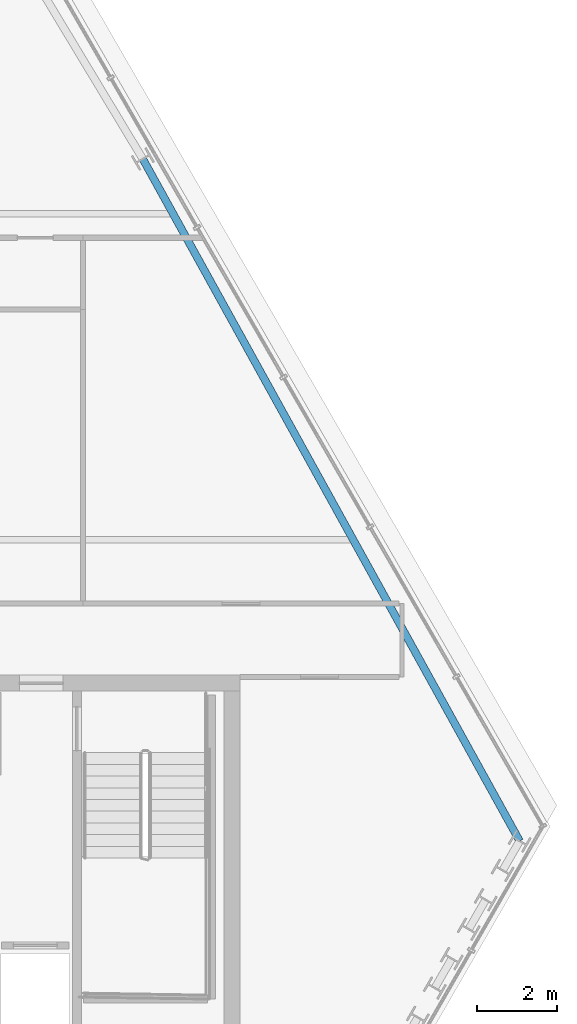
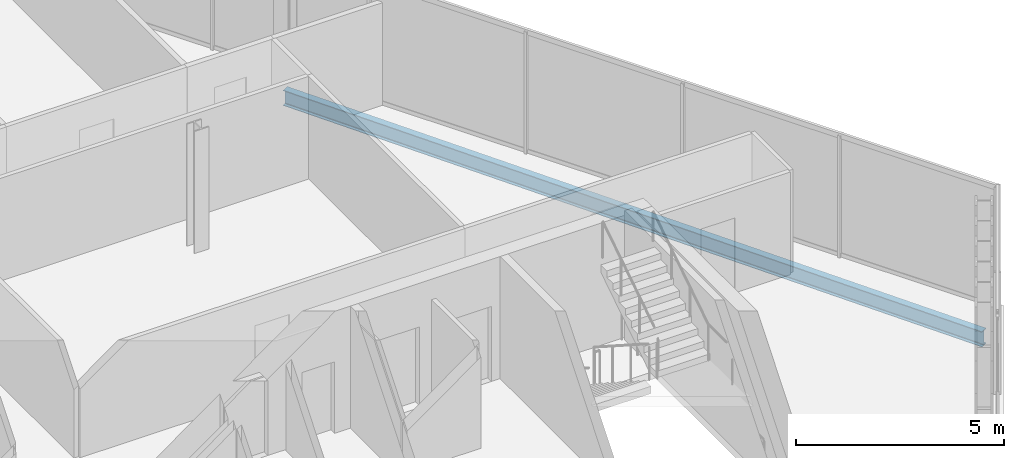
# One storey, part 16 of 29: 1 beam.
"""IFC4 building model written with IfcOpenShell, lengths in metres."""

import ifcopenshell
import ifcopenshell.guid

model = None  # the IFC model being written
_history = None  # IfcOwnerHistory: only IFC2X3 demands one
_inside = {}  # id of a spatial element -> (the spatial element, [elements in it])
_under = {}  # id of a project, library or spatial element -> (it, [spatial elements below it])
_declared = {}  # id of a project -> (the project, [libraries it declares])
_typed = {}  # id of a type object -> (the type object, [elements of that type])
_made_of = {}  # id of a material, layer set ... -> (it, [elements and type objects made of it])


def new_model(schema):
    """Start an empty IFC model of exactly this schema.

    Asked for "IFC4X3", IfcOpenShell would pick the latest addendum, in which some entities
    have other attributes; the version numbers below select the first issue.
    IFC2X3 requires an IfcOwnerHistory on every rooted entity: one is made here for all.
    """
    global model, _history
    if schema == "IFC4X3":
        model = ifcopenshell.file(schema_version=(4, 3, 0, 0))
    else:
        model = ifcopenshell.file(schema=schema)
    _inside.clear()
    _under.clear()
    _declared.clear()
    _typed.clear()
    _made_of.clear()
    _history = None
    if model.schema == "IFC2X3":
        org = make("IfcOrganization", Name="unknown")
        user = make(
            "IfcPersonAndOrganization",
            ThePerson=make("IfcPerson", FamilyName="unknown"),
            TheOrganization=org,
        )
        app = make(
            "IfcApplication",
            ApplicationDeveloper=org,
            Version="unknown",
            ApplicationFullName="unknown",
            ApplicationIdentifier="unknown",
        )
        _history = make(
            "IfcOwnerHistory",
            OwningUser=user,
            OwningApplication=app,
            ChangeAction="ADDED",
            CreationDate=0,
        )
    return model


def make(cls, **values):
    """One entity of the class cls with the attributes given. An attribute that is None is left unset."""
    return model.create_entity(
        cls, **{name: value for name, value in values.items() if value is not None}
    )


def rooted(cls, **values):
    """An entity with a GlobalId (a new one), such as an element, a storey or a relation."""
    return make(cls, GlobalId=ifcopenshell.guid.new(), OwnerHistory=_history, **values)


def si_unit(unit_type, name, prefix=None):
    """IfcSIUnit, for example si_unit("LENGTHUNIT", "METRE", prefix="MILLI")."""
    return make("IfcSIUnit", UnitType=unit_type, Prefix=prefix, Name=name)


def assignment(units):
    """IfcUnitAssignment: the units of a project."""
    return None if units is None else make("IfcUnitAssignment", Units=units)


def point(xyz):
    """IfcCartesianPoint."""
    return None if xyz is None else make("IfcCartesianPoint", Coordinates=xyz)


def direction(xyz):
    """IfcDirection."""
    return None if xyz is None else make("IfcDirection", DirectionRatios=xyz)


def frame(location, z_axis=None, x_axis=None):
    """IfcAxis2Placement3D, a coordinate frame: its origin and axes. An axis left out is left unset."""
    return make(
        "IfcAxis2Placement3D",
        Location=point(location),
        Axis=direction(z_axis),
        RefDirection=direction(x_axis),
    )


def frame_2d(location, x_axis=None):
    """IfcAxis2Placement2D, a coordinate frame in the plane: its origin and x axis."""
    return make(
        "IfcAxis2Placement2D", Location=point(location), RefDirection=direction(x_axis)
    )


def origin():
    """The frame at (0, 0, 0) with its axes left unset."""
    return frame((0.0, 0.0, 0.0))


def origin_2d():
    """The frame at (0, 0) in the plane with its x axis left unset."""
    return frame_2d((0.0, 0.0))


def place(relative_to, where):
    """IfcLocalPlacement: puts the frame where relative to a parent placement (None: the world)."""
    return make(
        "IfcLocalPlacement", PlacementRelTo=relative_to, RelativePlacement=where
    )


def context(
    kind, dimensions, precision=None, world=None, true_north=None, identifier=None
):
    """IfcGeometricRepresentationContext, for example the 3D "Model" context."""
    return make(
        "IfcGeometricRepresentationContext",
        ContextIdentifier=identifier,
        ContextType=kind,
        CoordinateSpaceDimension=dimensions,
        Precision=precision,
        WorldCoordinateSystem=world,
        TrueNorth=true_north,
    )


def subcontext(parent, identifier, kind, view, scale=None):
    """IfcGeometricRepresentationSubContext, for example "Body" below "Model"."""
    return make(
        "IfcGeometricRepresentationSubContext",
        ContextIdentifier=identifier,
        ContextType=kind,
        ParentContext=parent,
        TargetScale=scale,
        TargetView=view,
    )


def project(units=None, contexts=None):
    """IfcProject with its units and contexts."""
    return rooted(
        "IfcProject",
        Name="project",
        RepresentationContexts=contexts,
        UnitsInContext=assignment(units),
    )


def spatial(cls, under=None, at=None, **own):
    """A site, building, storey or space (cls), placed at a placement, below another one or the project."""
    s = rooted(cls, ObjectPlacement=at, **own)
    if under is not None:
        _under.setdefault(under.id(), (under, []))[1].append(s)
    return s


def profile(cls, at=None, kind="AREA", **sizes):
    """A parametric profile (cls). Its sizes go by their IFC names, for example OverallWidth=200.0."""
    return make(cls, ProfileType=kind, Position=at, **sizes)


def i_section(**sizes):
    """IfcIShapeProfileDef."""
    return profile("IfcIShapeProfileDef", **sizes)


def extrude(swept, where, along, depth):
    """IfcExtrudedAreaSolid: the profile swept, set in the frame where, extruded along a direction by depth."""
    return make(
        "IfcExtrudedAreaSolid",
        SweptArea=swept,
        Position=where,
        ExtrudedDirection=direction(along),
        Depth=depth,
    )


def shape(context_of_items, identifier, shape_type, items):
    """IfcShapeRepresentation: the items that make up one representation, for example the "Body"."""
    return make(
        "IfcShapeRepresentation",
        ContextOfItems=context_of_items,
        RepresentationIdentifier=identifier,
        RepresentationType=shape_type,
        Items=items,
    )


def material(Name=None, Category=None):
    """IfcMaterial."""
    return make("IfcMaterial", Name=Name, Category=Category)


def material_profile(
    of_material, cross_section, Name=None, Category=None, Priority=None
):
    """IfcMaterialProfile: a cross section and its material."""
    return make(
        "IfcMaterialProfile",
        Name=Name,
        Material=of_material,
        Profile=cross_section,
        Priority=Priority,
        Category=Category,
    )


def profile_set(profiles, Name=None, composite=None):
    """IfcMaterialProfileSet."""
    return make(
        "IfcMaterialProfileSet",
        Name=Name,
        MaterialProfiles=profiles,
        CompositeProfile=composite,
    )


def made_of(thing, what):
    """Note that an element or type object is made of a material, layer set ...; save() writes the relation."""
    if what is not None:
        _made_of.setdefault(what.id(), (what, []))[1].append(thing)
    return thing


def type_object(cls, material=None, **own):
    """A type object (cls), such as IfcWallType, which elements share."""
    return made_of(rooted(cls, **own), material)


def element(
    cls,
    number,
    at=None,
    inside=None,
    cuts=None,
    type_object=None,
    material=None,
    context=None,
    identifier="Body",
    shape_type=None,
    held_by="IfcProductDefinitionShape",
    body=None,
    shapes=None,
    **own,
):
    """One element of the class cls, such as IfcWall. Its Tag is "e" and its number.

    at: its placement. inside: the storey or other place that contains it. cuts: it is an
    opening in that element (IfcRelVoidsElement). A single representation is given by context,
    identifier, shape_type and body (its items); several are given by shapes. held_by: the class
    of the entity that holds the representations. save() writes the other relations.
    """
    e = rooted(cls, Tag="e%d" % number, ObjectPlacement=at, **own)
    if body is not None:
        shapes = [shape(context, identifier, shape_type, body)]
    if shapes is not None:
        e.Representation = make(held_by, Representations=shapes)
    if inside is not None:
        _inside.setdefault(inside.id(), (inside, []))[1].append(e)
    if cuts is not None:
        rooted(
            "IfcRelVoidsElement", RelatingBuildingElement=cuts, RelatedOpeningElement=e
        )
    if type_object is not None:
        _typed.setdefault(type_object.id(), (type_object, []))[1].append(e)
    return made_of(e, material)


def aggregate(whole, parts):
    """IfcRelAggregates: a whole, such as a stair, and the parts it consists of."""
    return rooted("IfcRelAggregates", RelatingObject=whole, RelatedObjects=parts)


def save(model, path):
    """Write the relations noted so far, then the file.

    IfcRelAggregates (storeys below a building ...), IfcRelContainedInSpatialStructure (elements
    in a storey), IfcRelDefinesByType, IfcRelAssociatesMaterial and IfcRelDeclares: one each for
    every whole, place, type object, material and project.
    """
    for whole, parts in _under.values():
        aggregate(whole, parts)
    for where, things in _inside.values():
        rooted(
            "IfcRelContainedInSpatialStructure",
            RelatedElements=things,
            RelatingStructure=where,
        )
    for kind, things in _typed.values():
        rooted("IfcRelDefinesByType", RelatedObjects=things, RelatingType=kind)
    for what, things in _made_of.values():
        rooted("IfcRelAssociatesMaterial", RelatedObjects=things, RelatingMaterial=what)
    for by, libraries in _declared.values():
        rooted("IfcRelDeclares", RelatingContext=by, RelatedDefinitions=libraries)
    model.write(path)


model = new_model("IFC4")

# Units and contexts
model_context = context("Model", 3, precision=1e-05, world=origin(), true_north=direction((0.0, 1.0)))
body_context = subcontext(model_context, "Body", "Model", "MODEL_VIEW")
ifc_project = project(units=[si_unit("LENGTHUNIT", "METRE"), si_unit("AREAUNIT", "SQUARE_METRE"), si_unit("VOLUMEUNIT", "CUBIC_METRE"), si_unit("PLANEANGLEUNIT", "RADIAN"), si_unit("MASSUNIT", "GRAM", prefix="KILO")], contexts=[model_context])

# Site, building, storey
site_placement = place(None, origin())
site = spatial("IfcSite", under=ifc_project, at=site_placement, CompositionType="ELEMENT")
building_placement = place(site_placement, origin())
building = spatial("IfcBuilding", under=site, at=building_placement, Name="Ndaravel Arena Tower", CompositionType="ELEMENT")
storey_placement = place(building_placement, frame((0.0, 0.0, 229.39990234375)))
storey = spatial("IfcBuildingStorey", under=building, at=storey_placement, Name="L55", CompositionType="ELEMENT", Elevation=229.39990234375)

# Beam
ifc_material = material(Name="Steel S355", Category="steel")
ifc_material_profile = material_profile(ifc_material, i_section(OverallWidth=0.18994140625, OverallDepth=0.449951171875, WebThickness=0.009521484375, FlangeThickness=0.0146484375, FilletRadius=0.02099609375, at=origin_2d()), Name="IPE 450")
ifc_profile_set = profile_set([ifc_material_profile], Name="Steel S355")
beam_type = type_object("IfcBeamType", Name="BM-SPAN-IPE450", PredefinedType="SPANDREL", material=ifc_profile_set)
beam_placement = place(storey_placement, frame((64.58544921875, 11.025146484375, -0.44482421875), z_axis=(-0.483575124361, 0.875302861357, 0.0), x_axis=(-0.875302861357, -0.483575124361, 0.0)))
element("IfcBeam", 1, at=beam_placement, inside=storey, type_object=beam_type, Name="L55 Perimeter Spandrel Beam SP-09", PredefinedType="SPANDREL", context=body_context, shape_type="SweptSolid", body=[
    extrude(i_section(OverallWidth=0.18994140625, OverallDepth=0.449951171875, WebThickness=0.009521484375, FlangeThickness=0.0146484375, FilletRadius=0.02099609375, at=origin_2d()), origin(), (0.0, 0.0, 1.0), 19.600830078125),
])

save(model, "model.ifc")
